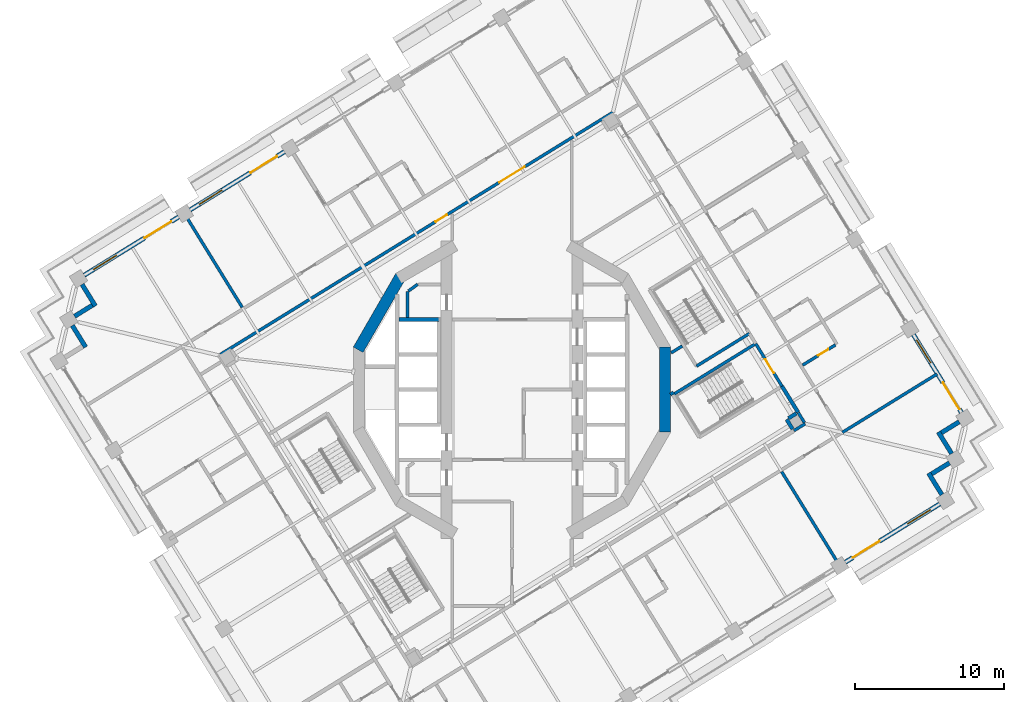
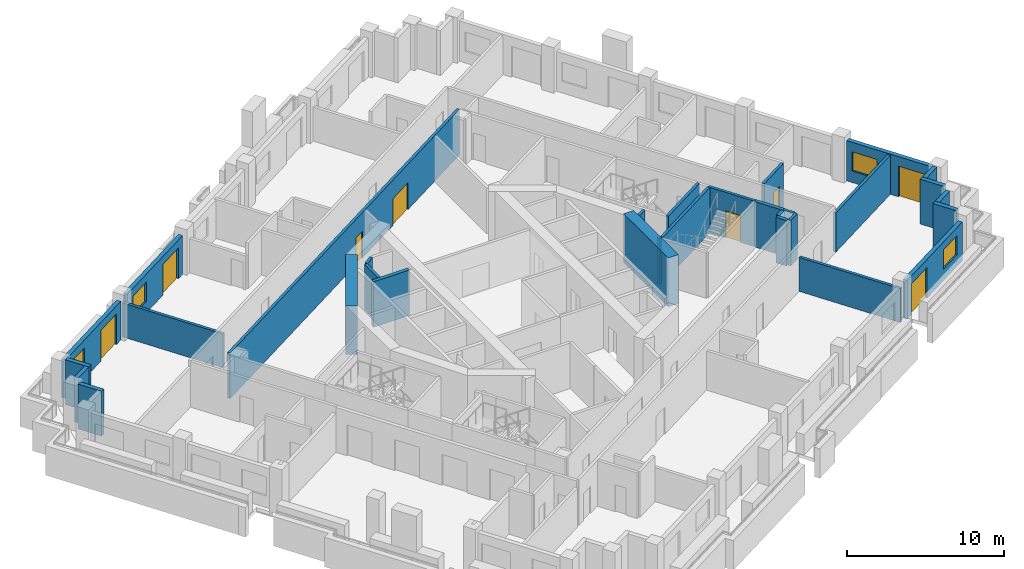
# One storey, part 7 of 20: 31 walls, 8 doors, 4 windows, 12 openings.
"""IFC4 building model written with IfcOpenShell, lengths in metres."""

from ifc_helpers import new_model, si_unit, direction, frame, frame_2d, origin, place, context, subcontext, project, spatial, rectangle, extrude, material, layer, layer_set, type_object, element, fill, save


model = new_model("IFC4")

# Units and contexts
model_context = context("Model", 3, precision=1e-05, world=origin(), true_north=direction((0.0, 1.0)))
body_context = subcontext(model_context, "Body", "Model", "MODEL_VIEW")
ifc_project = project(units=[si_unit("LENGTHUNIT", "METRE"), si_unit("AREAUNIT", "SQUARE_METRE"), si_unit("VOLUMEUNIT", "CUBIC_METRE"), si_unit("PLANEANGLEUNIT", "RADIAN"), si_unit("MASSUNIT", "GRAM", prefix="KILO")], contexts=[model_context])

# Site, building, storey
site_placement = place(None, origin())
site = spatial("IfcSite", under=ifc_project, at=site_placement, CompositionType="ELEMENT")
building_placement = place(site_placement, origin())
building = spatial("IfcBuilding", under=site, at=building_placement, Name="Cantera Rosa Tower", CompositionType="ELEMENT")
storey_placement = place(building_placement, frame((0.0, 0.0, 159.0)))
storey = spatial("IfcBuildingStorey", under=building, at=storey_placement, Name="L34", CompositionType="ELEMENT", Elevation=159.0)

# Wall, openings, doors
ifc_material_1 = material(Name="Gypsum board partition")
ifc_layer_1 = layer(ifc_material_1, 0.199951171875)
ifc_layer_set_1 = layer_set([ifc_layer_1], Name="CORRIDOR WALL 200 H3550")
wall_type_1 = type_object("IfcWallType", Name="CORRIDOR WALL 200 H3550", PredefinedType="PARTITIONING", material=ifc_layer_set_1)
wall_1_placement = place(storey_placement, frame((6.76123046875, 18.563232421875, 0.0), z_axis=(0.0, 0.0, 1.0), x_axis=(-0.851115762051, -0.524978056292, 0.0)))
wall_1 = element("IfcWall", 1, at=wall_1_placement, inside=storey, type_object=wall_type_1, Name="CORRIDOR WALL L34-085", PredefinedType="PARTITIONING", context=body_context, shape_type="SweptSolid", body=[
    extrude(rectangle(XDim=30.879638671875, YDim=0.199951171875, at=frame_2d((15.43994140625, 0.0))), origin(), (0.0, 0.0, 1.0), 3.550048828125),
])
opening_1_placement = place(wall_1_placement, frame((13.066650390625, 0.0, 0.0)))
opening_1 = element("IfcOpeningElement", 2, at=opening_1_placement, cuts=wall_1, Name="Opening L34-007", PredefinedType="OPENING", context=body_context, shape_type="SweptSolid", body=[
    extrude(rectangle(XDim=0.89990234375, YDim=2.10009765625, at=frame_2d((0.449951171875, 1.050048828125))), frame((0.0, 0.10986328125, 0.0), z_axis=(0.0, -1.0, 0.0), x_axis=(1.0, 0.0, 0.0)), (0.0, 0.0, 1.0), 0.219970703125),
])
opening_2_placement = place(wall_1_placement, frame((6.944091796875, 0.0, 0.0)))
opening_2 = element("IfcOpeningElement", 3, at=opening_2_placement, cuts=wall_1, Name="Opening L34-011", PredefinedType="OPENING", context=body_context, shape_type="SweptSolid", body=[
    extrude(rectangle(XDim=2.0, YDim=2.10009765625, at=frame_2d((1.0, 1.050048828125))), frame((0.0, 0.10986328125, 0.0), z_axis=(0.0, -1.0, 0.0), x_axis=(1.0, 0.0, 0.0)), (0.0, 0.0, 1.0), 0.219970703125),
])
ifc_material_2 = material(Name="Steel S355J2 (EN 10025-2)", Category="steel")
door_type_1 = type_object("IfcDoorType", Name="LOBBY SCREEN DOOR 2000x2100", OperationType="NOTDEFINED", PredefinedType="DOOR", material=ifc_material_2)
door_1_placement = place(opening_2_placement, origin())
door_1 = element("IfcDoor", 4, at=door_1_placement, inside=storey, type_object=door_type_1, Name="DOOR L34-011", OperationType="NOTDEFINED", OverallHeight=2.10009765625, OverallWidth=2.0, PredefinedType="DOOR", context=body_context, shape_type="SweptSolid", body=[
    extrude(rectangle(XDim=2.0, YDim=2.10009765625, at=frame_2d((1.0, 1.050048828125))), frame((0.0, 0.02490234375, 0.0), z_axis=(0.0, -1.0, 0.0), x_axis=(1.0, 0.0, 0.0)), (0.0, 0.0, 1.0), 0.050048828125),
])
fill(opening_2, door_1)
ifc_material_3 = material(Name="Timber door leaf", Category="wood")
door_type_2 = type_object("IfcDoorType", Name="SERVICE DOOR 900x2100", OperationType="NOTDEFINED", PredefinedType="DOOR", material=ifc_material_3)
door_2_placement = place(opening_1_placement, origin())
door_2 = element("IfcDoor", 5, at=door_2_placement, inside=storey, type_object=door_type_2, Name="DOOR L34-007", OperationType="NOTDEFINED", OverallHeight=2.10009765625, OverallWidth=0.89990234375, PredefinedType="DOOR", context=body_context, shape_type="SweptSolid", body=[
    extrude(rectangle(XDim=0.89990234375, YDim=2.10009765625, at=frame_2d((0.449951171875, 1.050048828125))), frame((0.0, 0.02490234375, 0.0), z_axis=(0.0, -1.0, 0.0), x_axis=(1.0, 0.0, 0.0)), (0.0, 0.0, 1.0), 0.050048828125),
])
fill(opening_1, door_2)

# Walls
wall_2_placement = place(storey_placement, frame((18.874267578125, -2.7509765625, 0.0), z_axis=(0.0, 0.0, 1.0), x_axis=(0.851162606387, 0.524902102766, 0.0)))
element("IfcWall", 6, at=wall_2_placement, inside=storey, type_object=wall_type_1, Name="CORRIDOR WALL L34-117", PredefinedType="PARTITIONING", context=body_context, shape_type="SweptSolid", body=[
    extrude(rectangle(XDim=0.8798828125, YDim=0.199951171875, at=frame_2d((0.43994140625, 0.0))), origin(), (0.0, 0.0, 1.0), 3.550048828125),
])
wall_3_placement = place(storey_placement, frame((19.57080078125, -2.203857421875, 0.0), z_axis=(0.0, 0.0, 1.0), x_axis=(-0.524952958213, 0.851131242326, 0.0)))
element("IfcWall", 7, at=wall_3_placement, inside=storey, type_object=wall_type_1, Name="CORRIDOR WALL L34-120", PredefinedType="PARTITIONING", context=body_context, shape_type="SweptSolid", body=[
    extrude(rectangle(XDim=0.780029296875, YDim=0.199951171875, at=frame_2d((0.39013671875, 0.0))), origin(), (0.0, 0.0, 1.0), 3.550048828125),
])
ifc_material_4 = material(Name="Hollow clay masonry with cantera stone cladding", Category="masonry")
ifc_layer_2 = layer(ifc_material_4, 0.300048828125)
ifc_layer_set_2 = layer_set([ifc_layer_2], Name="EW-LOGGIA 300")
wall_type_2 = type_object("IfcWallType", Name="EW-LOGGIA 300", PredefinedType="SOLIDWALL", material=ifc_layer_set_2)
wall_4_placement = place(storey_placement, frame((-28.7802734375, 7.0390625, 0.0), z_axis=(0.0, 0.0, 1.0), x_axis=(0.524994468487, -0.851105638601, 0.0)))
element("IfcWall", 8, at=wall_4_placement, inside=storey, type_object=wall_type_2, Name="EN-L34-W13a", PredefinedType="SOLIDWALL", context=body_context, shape_type="SweptSolid", body=[
    extrude(rectangle(XDim=1.7001953125, YDim=0.300048828125, at=frame_2d((0.85009765625, 0.0))), origin(), (0.0, 0.0, 1.0), 3.5),
])
wall_5_placement = place(storey_placement, frame((-28.09423828125, 5.64111328125, 0.0), z_axis=(0.0, 0.0, 1.0), x_axis=(-0.851040987269, -0.525099264891, 0.0)))
element("IfcWall", 9, at=wall_5_placement, inside=storey, type_object=wall_type_2, Name="EN-L34-W13b", PredefinedType="SOLIDWALL", context=body_context, shape_type="SweptSolid", body=[
    extrude(rectangle(XDim=1.39990234375, YDim=0.300048828125, at=frame_2d((0.699951171875, 0.0))), origin(), (0.0, 0.0, 1.0), 3.5),
])
for number, where, z_axis, x_axis, name in (
    (10, (-29.4326171875, 4.286865234375, 0.0), (0.0, 0.0, 1.0), (0.524994468487, -0.851105638601, 0.0), "EN-L34-W14a"),
    (11, (28.7802734375, -7.0390625, 0.0), (0.0, 0.0, 1.0), (-0.524994468487, 0.851105638601, 0.0), "EN-L34-W27a"),
):
    element("IfcWall", number, at=place(storey_placement, frame(where, z_axis=z_axis, x_axis=x_axis)), inside=storey, type_object=wall_type_2, Name=name, PredefinedType="SOLIDWALL", context=body_context, shape_type="SweptSolid", body=[
        extrude(rectangle(XDim=1.7001953125, YDim=0.300048828125, at=frame_2d((0.85009765625, 0.0))), origin(), (0.0, 0.0, 1.0), 3.5),
    ])
wall_6_placement = place(storey_placement, frame((28.09423828125, -5.64111328125, 0.0), z_axis=(0.0, 0.0, 1.0), x_axis=(0.851040987269, 0.525099264891, 0.0)))
element("IfcWall", 12, at=wall_6_placement, inside=storey, type_object=wall_type_2, Name="EN-L34-W27b", PredefinedType="SOLIDWALL", context=body_context, shape_type="SweptSolid", body=[
    extrude(rectangle(XDim=1.39990234375, YDim=0.300048828125, at=frame_2d((0.699951171875, 0.0))), origin(), (0.0, 0.0, 1.0), 3.5),
])
wall_7_placement = place(storey_placement, frame((29.4326171875, -4.286865234375, 0.0), z_axis=(0.0, 0.0, 1.0), x_axis=(-0.524994468487, 0.851105638601, 0.0)))
element("IfcWall", 13, at=wall_7_placement, inside=storey, type_object=wall_type_2, Name="EN-L34-W28a", PredefinedType="SOLIDWALL", context=body_context, shape_type="SweptSolid", body=[
    extrude(rectangle(XDim=1.7001953125, YDim=0.300048828125, at=frame_2d((0.85009765625, 0.0))), origin(), (0.0, 0.0, 1.0), 3.5),
])
wall_8_placement = place(storey_placement, frame((28.74658203125, -2.888916015625, 0.0), z_axis=(0.0, 0.0, 1.0), x_axis=(0.851040987269, 0.525099264891, 0.0)))
element("IfcWall", 14, at=wall_8_placement, inside=storey, type_object=wall_type_2, Name="EN-L34-W28b", PredefinedType="SOLIDWALL", context=body_context, shape_type="SweptSolid", body=[
    extrude(rectangle(XDim=1.39990234375, YDim=0.300048828125, at=frame_2d((0.699951171875, 0.0))), origin(), (0.0, 0.0, 1.0), 3.5),
])

# Wall, openings, window, door
ifc_material_5 = material(Name="Hollow clay masonry with cantera stone cladding", Category="masonry")
ifc_layer_3 = layer(ifc_material_5, 0.300048828125)
ifc_layer_set_3 = layer_set([ifc_layer_3], Name="EW-LOGGIA 300 H3020")
wall_type_3 = type_object("IfcWallType", Name="EW-LOGGIA 300 H3020", PredefinedType="SOLIDWALL", material=ifc_layer_set_3)
wall_9_placement = place(storey_placement, frame((-15.23681640625, 15.92138671875, 0.0), z_axis=(0.0, 0.0, 1.0), x_axis=(-0.85112578684, -0.524961803349, 0.0)))
wall_9 = element("IfcWall", 15, at=wall_9_placement, inside=storey, type_object=wall_type_3, Name="EN-L34-W11", PredefinedType="SOLIDWALL", context=body_context, shape_type="SweptSolid", body=[
    extrude(rectangle(XDim=7.420166015625, YDim=0.300048828125, at=frame_2d((3.7099609375, 0.0))), origin(), (0.0, 0.0, 1.0), 3.02001953125),
])
opening_3_placement = place(wall_9_placement, frame((0.580078125, 0.0, 0.0)))
opening_3 = element("IfcOpeningElement", 16, at=opening_3_placement, cuts=wall_9, Name="Opening L34-TD17", PredefinedType="OPENING", context=body_context, shape_type="SweptSolid", body=[
    extrude(rectangle(XDim=2.10009765625, YDim=2.39990234375, at=frame_2d((1.050048828125, 1.199951171875))), frame((0.0, 0.159912109375, 0.0), z_axis=(0.0, -1.0, 0.0), x_axis=(1.0, 0.0, 0.0)), (0.0, 0.0, 1.0), 0.320068359375),
])
opening_4_placement = place(wall_9_placement, frame((4.889892578125, 0.0, 0.89990234375)))
opening_4 = element("IfcOpeningElement", 17, at=opening_4_placement, cuts=wall_9, Name="Opening L34-W18", PredefinedType="OPENING", context=body_context, shape_type="SweptSolid", body=[
    extrude(rectangle(XDim=1.800048828125, YDim=1.5, at=frame_2d((0.89990234375, 0.75))), frame((0.0, 0.159912109375, 0.0), z_axis=(0.0, -1.0, 0.0), x_axis=(1.0, 0.0, 0.0)), (0.0, 0.0, 1.0), 0.320068359375),
])
ifc_material_6 = material(Name="Aluminium frame with clear glass", Category="aluminium")
window_type = type_object("IfcWindowType", Name="Hotel room window 1800x1500", PartitioningType="DOUBLE_PANEL_VERTICAL", PredefinedType="WINDOW", material=ifc_material_6)
window_1_placement = place(opening_4_placement, origin())
window_1 = element("IfcWindow", 18, at=window_1_placement, inside=storey, type_object=window_type, Name="WINDOW L34-W18", OverallHeight=1.5, OverallWidth=1.800048828125, PartitioningType="SINGLE_PANEL", PredefinedType="WINDOW", context=body_context, shape_type="SweptSolid", body=[
    extrude(rectangle(XDim=1.800048828125, YDim=1.5, at=frame_2d((0.89990234375, 0.75))), frame((0.0, 0.030029296875, 0.0), z_axis=(0.0, -1.0, 0.0), x_axis=(1.0, 0.0, 0.0)), (0.0, 0.0, 1.0), 0.06005859375),
])
fill(opening_4, window_1)
ifc_material_7 = material(Name="Aluminium frame with clear glass", Category="aluminium")
door_type_3 = type_object("IfcDoorType", Name="TD-H 2100x2400", OperationType="NOTDEFINED", PredefinedType="DOOR", material=ifc_material_7)
door_3_placement = place(opening_3_placement, origin())
door_3 = element("IfcDoor", 19, at=door_3_placement, inside=storey, type_object=door_type_3, Name="LOGGIA DOOR L34-TD17", OperationType="SLIDING_TO_LEFT", OverallHeight=2.39990234375, OverallWidth=2.10009765625, PredefinedType="DOOR", context=body_context, shape_type="SweptSolid", body=[
    extrude(rectangle(XDim=2.10009765625, YDim=2.39990234375, at=frame_2d((1.050048828125, 1.199951171875))), frame((0.0, 0.02490234375, 0.0), z_axis=(0.0, -1.0, 0.0), x_axis=(1.0, 0.0, 0.0)), (0.0, 0.0, 1.0), 0.050048828125),
])
fill(opening_3, door_3)

wall_10_placement = place(storey_placement, frame((-22.318115234375, 11.5537109375, 0.0), z_axis=(0.0, 0.0, 1.0), x_axis=(-0.851111085575, -0.524985637909, 0.0)))
wall_10 = element("IfcWall", 20, at=wall_10_placement, inside=storey, type_object=wall_type_3, Name="EN-L34-W12", PredefinedType="SOLIDWALL", context=body_context, shape_type="SweptSolid", body=[
    extrude(rectangle(XDim=7.420166015625, YDim=0.300048828125, at=frame_2d((3.7099609375, 0.0))), origin(), (0.0, 0.0, 1.0), 3.02001953125),
])
opening_5_placement = place(wall_10_placement, frame((0.580078125, 0.0, 0.0)))
opening_5 = element("IfcOpeningElement", 21, at=opening_5_placement, cuts=wall_10, Name="Opening L34-TD19", PredefinedType="OPENING", context=body_context, shape_type="SweptSolid", body=[
    extrude(rectangle(XDim=2.10009765625, YDim=2.39990234375, at=frame_2d((1.050048828125, 1.199951171875))), frame((0.0, 0.159912109375, 0.0), z_axis=(0.0, -1.0, 0.0), x_axis=(1.0, 0.0, 0.0)), (0.0, 0.0, 1.0), 0.320068359375),
])
opening_6_placement = place(wall_10_placement, frame((4.889892578125, 0.0, 0.89990234375)))
opening_6 = element("IfcOpeningElement", 22, at=opening_6_placement, cuts=wall_10, Name="Opening L34-W20", PredefinedType="OPENING", context=body_context, shape_type="SweptSolid", body=[
    extrude(rectangle(XDim=1.800048828125, YDim=1.5, at=frame_2d((0.89990234375, 0.75))), frame((0.0, 0.159912109375, 0.0), z_axis=(0.0, -1.0, 0.0), x_axis=(1.0, 0.0, 0.0)), (0.0, 0.0, 1.0), 0.320068359375),
])
window_2_placement = place(opening_6_placement, origin())
window_2 = element("IfcWindow", 23, at=window_2_placement, inside=storey, type_object=window_type, Name="WINDOW L34-W20", OverallHeight=1.5, OverallWidth=1.800048828125, PartitioningType="SINGLE_PANEL", PredefinedType="WINDOW", context=body_context, shape_type="SweptSolid", body=[
    extrude(rectangle(XDim=1.800048828125, YDim=1.5, at=frame_2d((0.89990234375, 0.75))), frame((0.0, 0.030029296875, 0.0), z_axis=(0.0, -1.0, 0.0), x_axis=(1.0, 0.0, 0.0)), (0.0, 0.0, 1.0), 0.06005859375),
])
fill(opening_6, window_2)
door_4_placement = place(opening_5_placement, origin())
door_4 = element("IfcDoor", 24, at=door_4_placement, inside=storey, type_object=door_type_3, Name="LOGGIA DOOR L34-TD19", OperationType="SLIDING_TO_LEFT", OverallHeight=2.39990234375, OverallWidth=2.10009765625, PredefinedType="DOOR", context=body_context, shape_type="SweptSolid", body=[
    extrude(rectangle(XDim=2.10009765625, YDim=2.39990234375, at=frame_2d((1.050048828125, 1.199951171875))), frame((0.0, 0.02490234375, 0.0), z_axis=(0.0, -1.0, 0.0), x_axis=(1.0, 0.0, 0.0)), (0.0, 0.0, 1.0), 0.050048828125),
])
fill(opening_5, door_4)

wall_11_placement = place(storey_placement, frame((22.318115234375, -11.5537109375, 0.0), z_axis=(0.0, 0.0, 1.0), x_axis=(0.851111085575, 0.524985637909, 0.0)))
wall_11 = element("IfcWall", 25, at=wall_11_placement, inside=storey, type_object=wall_type_3, Name="EN-L34-W26", PredefinedType="SOLIDWALL", context=body_context, shape_type="SweptSolid", body=[
    extrude(rectangle(XDim=7.420166015625, YDim=0.300048828125, at=frame_2d((3.7099609375, 0.0))), origin(), (0.0, 0.0, 1.0), 3.02001953125),
])
opening_7_placement = place(wall_11_placement, frame((0.580078125, 0.0, 0.0)))
opening_7 = element("IfcOpeningElement", 26, at=opening_7_placement, cuts=wall_11, Name="Opening L34-TD35", PredefinedType="OPENING", context=body_context, shape_type="SweptSolid", body=[
    extrude(rectangle(XDim=2.10009765625, YDim=2.39990234375, at=frame_2d((1.050048828125, 1.199951171875))), frame((0.0, 0.159912109375, 0.0), z_axis=(0.0, -1.0, 0.0), x_axis=(1.0, 0.0, 0.0)), (0.0, 0.0, 1.0), 0.320068359375),
])
opening_8_placement = place(wall_11_placement, frame((4.889892578125, 0.0, 0.89990234375)))
opening_8 = element("IfcOpeningElement", 27, at=opening_8_placement, cuts=wall_11, Name="Opening L34-W36", PredefinedType="OPENING", context=body_context, shape_type="SweptSolid", body=[
    extrude(rectangle(XDim=1.800048828125, YDim=1.5, at=frame_2d((0.89990234375, 0.75))), frame((0.0, 0.159912109375, 0.0), z_axis=(0.0, -1.0, 0.0), x_axis=(1.0, 0.0, 0.0)), (0.0, 0.0, 1.0), 0.320068359375),
])
window_3_placement = place(opening_8_placement, origin())
window_3 = element("IfcWindow", 28, at=window_3_placement, inside=storey, type_object=window_type, Name="WINDOW L34-W36", OverallHeight=1.5, OverallWidth=1.800048828125, PartitioningType="SINGLE_PANEL", PredefinedType="WINDOW", context=body_context, shape_type="SweptSolid", body=[
    extrude(rectangle(XDim=1.800048828125, YDim=1.5, at=frame_2d((0.89990234375, 0.75))), frame((0.0, 0.030029296875, 0.0), z_axis=(0.0, -1.0, 0.0), x_axis=(1.0, 0.0, 0.0)), (0.0, 0.0, 1.0), 0.06005859375),
])
fill(opening_8, window_3)
door_5_placement = place(opening_7_placement, origin())
door_5 = element("IfcDoor", 29, at=door_5_placement, inside=storey, type_object=door_type_3, Name="LOGGIA DOOR L34-TD35", OperationType="SLIDING_TO_LEFT", OverallHeight=2.39990234375, OverallWidth=2.10009765625, PredefinedType="DOOR", context=body_context, shape_type="SweptSolid", body=[
    extrude(rectangle(XDim=2.10009765625, YDim=2.39990234375, at=frame_2d((1.050048828125, 1.199951171875))), frame((0.0, 0.02490234375, 0.0), z_axis=(0.0, -1.0, 0.0), x_axis=(1.0, 0.0, 0.0)), (0.0, 0.0, 1.0), 0.050048828125),
])
fill(opening_7, door_5)

ifc_material_8 = material(Name="Hollow clay masonry with cantera stone cladding", Category="masonry")
ifc_layer_4 = layer(ifc_material_8, 0.300048828125)
ifc_layer_set_4 = layer_set([ifc_layer_4], Name="EW-LOGGIA 300 H3140")
wall_type_4 = type_object("IfcWallType", Name="EW-LOGGIA 300 H3140", PredefinedType="SOLIDWALL", material=ifc_layer_set_4)
wall_12_placement = place(storey_placement, frame((30.084716796875, -1.53466796875, 0.0), z_axis=(0.0, 0.0, 1.0), x_axis=(-0.524987447654, 0.851109969279, 0.0)))
wall_12 = element("IfcWall", 30, at=wall_12_placement, inside=storey, type_object=wall_type_4, Name="EN-L34-W01", PredefinedType="SOLIDWALL", context=body_context, shape_type="SweptSolid", body=[
    extrude(rectangle(XDim=6.119873046875, YDim=0.300048828125, at=frame_2d((3.06005859375, 0.0))), origin(), (0.0, 0.0, 1.0), 3.139892578125),
])
opening_9_placement = place(wall_12_placement, frame((0.2548828125, 0.0, 0.0)))
opening_9 = element("IfcOpeningElement", 31, at=opening_9_placement, cuts=wall_12, Name="Opening L34-TD01", PredefinedType="OPENING", context=body_context, shape_type="SweptSolid", body=[
    extrude(rectangle(XDim=2.10009765625, YDim=2.39990234375, at=frame_2d((1.050048828125, 1.199951171875))), frame((0.0, 0.159912109375, 0.0), z_axis=(0.0, -1.0, 0.0), x_axis=(1.0, 0.0, 0.0)), (0.0, 0.0, 1.0), 0.320068359375),
])
opening_10_placement = place(wall_12_placement, frame((3.9150390625, 0.0, 0.89990234375)))
opening_10 = element("IfcOpeningElement", 32, at=opening_10_placement, cuts=wall_12, Name="Opening L34-W02", PredefinedType="OPENING", context=body_context, shape_type="SweptSolid", body=[
    extrude(rectangle(XDim=1.800048828125, YDim=1.5, at=frame_2d((0.89990234375, 0.75))), frame((0.0, 0.159912109375, 0.0), z_axis=(0.0, -1.0, 0.0), x_axis=(1.0, 0.0, 0.0)), (0.0, 0.0, 1.0), 0.320068359375),
])
window_4_placement = place(opening_10_placement, origin())
window_4 = element("IfcWindow", 33, at=window_4_placement, inside=storey, type_object=window_type, Name="WINDOW L34-W02", OverallHeight=1.5, OverallWidth=1.800048828125, PartitioningType="SINGLE_PANEL", PredefinedType="WINDOW", context=body_context, shape_type="SweptSolid", body=[
    extrude(rectangle(XDim=1.800048828125, YDim=1.5, at=frame_2d((0.89990234375, 0.75))), frame((0.0, 0.030029296875, 0.0), z_axis=(0.0, -1.0, 0.0), x_axis=(1.0, 0.0, 0.0)), (0.0, 0.0, 1.0), 0.06005859375),
])
fill(opening_10, window_4)
door_6_placement = place(opening_9_placement, origin())
door_6 = element("IfcDoor", 34, at=door_6_placement, inside=storey, type_object=door_type_3, Name="LOGGIA DOOR L34-TD01", OperationType="SLIDING_TO_LEFT", OverallHeight=2.39990234375, OverallWidth=2.10009765625, PredefinedType="DOOR", context=body_context, shape_type="SweptSolid", body=[
    extrude(rectangle(XDim=2.10009765625, YDim=2.39990234375, at=frame_2d((1.050048828125, 1.199951171875))), frame((0.0, 0.02490234375, 0.0), z_axis=(0.0, -1.0, 0.0), x_axis=(1.0, 0.0, 0.0)), (0.0, 0.0, 1.0), 0.050048828125),
])
fill(opening_9, door_6)

# Walls
ifc_material_9 = material(Name="Gypsum board partition")
ifc_layer_5 = layer(ifc_material_9, 0.199951171875)
ifc_layer_set_5 = layer_set([ifc_layer_5], Name="PARTITION 200 H3550")
wall_type_5 = type_object("IfcWallType", Name="PARTITION 200 H3550", PredefinedType="PARTITIONING", material=ifc_layer_set_5)
wall_13_placement = place(storey_placement, frame((-7.0, 4.824951171875, 0.0), z_axis=(0.0, 0.0, 1.0), x_axis=(0.0, 1.0, 0.0)))
element("IfcWall", 35, at=wall_13_placement, inside=storey, type_object=wall_type_5, Name="PARTITION L34-043", PredefinedType="PARTITIONING", context=body_context, shape_type="SweptSolid", body=[
    extrude(rectangle(XDim=1.72509765625, YDim=0.199951171875, at=frame_2d((0.862548828125, 0.0))), origin(), (0.0, 0.0, 1.0), 3.550048828125),
])
wall_14_placement = place(storey_placement, frame((-6.935302734375, 6.59716796875, 0.0), z_axis=(0.0, 0.0, 1.0), x_axis=(0.808227862651, 0.588869868506, 0.0)))
element("IfcWall", 36, at=wall_14_placement, inside=storey, type_object=wall_type_5, Name="PARTITION L34-044", PredefinedType="PARTITIONING", context=body_context, shape_type="SweptSolid", body=[
    extrude(rectangle(XDim=0.76904296875, YDim=0.199951171875, at=frame_2d((0.384521484375, 0.0))), origin(), (0.0, 0.0, 1.0), 3.550048828125),
])
wall_15_placement = place(storey_placement, frame((11.3984375, 2.91845703125, 0.0), z_axis=(0.0, 0.0, 1.0), x_axis=(-0.851062595384, -0.525064242487, 0.0)))
element("IfcWall", 37, at=wall_15_placement, inside=storey, type_object=wall_type_5, Name="PARTITION L34-101", PredefinedType="PARTITIONING", context=body_context, shape_type="SweptSolid", body=[
    extrude(rectangle(XDim=0.873291015625, YDim=0.199951171875, at=frame_2d((0.4365234375, 0.0))), origin(), (0.0, 0.0, 1.0), 3.550048828125),
])

# Wall, opening, door
wall_16_placement = place(storey_placement, frame((21.652587890625, 2.99267578125, 0.0), z_axis=(0.0, 0.0, 1.0), x_axis=(-0.851098989685, -0.525005247362, 0.0)))
wall_16 = element("IfcWall", 38, at=wall_16_placement, inside=storey, type_object=wall_type_5, Name="PARTITION L34-122", PredefinedType="PARTITIONING", context=body_context, shape_type="SweptSolid", body=[
    extrude(rectangle(XDim=2.580078125, YDim=0.199951171875, at=frame_2d((1.2900390625, 0.0))), origin(), (0.0, 0.0, 1.0), 3.550048828125),
])
opening_11_placement = place(wall_16_placement, frame((0.56396484375, 0.0, 0.0)))
opening_11 = element("IfcOpeningElement", 39, at=opening_11_placement, cuts=wall_16, Name="Opening L34-022", PredefinedType="OPENING", context=body_context, shape_type="SweptSolid", body=[
    extrude(rectangle(XDim=0.800048828125, YDim=2.10009765625, at=frame_2d((0.39990234375, 1.050048828125))), frame((0.0, 0.10986328125, 0.0), z_axis=(0.0, -1.0, 0.0), x_axis=(1.0, 0.0, 0.0)), (0.0, 0.0, 1.0), 0.219970703125),
])
ifc_material_10 = material(Name="Timber door leaf", Category="wood")
door_type_4 = type_object("IfcDoorType", Name="BATHROOM DOOR 800x2100", OperationType="NOTDEFINED", PredefinedType="DOOR", material=ifc_material_10)
door_7_placement = place(opening_11_placement, origin())
door_7 = element("IfcDoor", 40, at=door_7_placement, inside=storey, type_object=door_type_4, Name="DOOR L34-022", OperationType="NOTDEFINED", OverallHeight=2.10009765625, OverallWidth=0.800048828125, PredefinedType="DOOR", context=body_context, shape_type="SweptSolid", body=[
    extrude(rectangle(XDim=0.800048828125, YDim=2.10009765625, at=frame_2d((0.39990234375, 1.050048828125))), frame((0.0, 0.02490234375, 0.0), z_axis=(0.0, -1.0, 0.0), x_axis=(1.0, 0.0, 0.0)), (0.0, 0.0, 1.0), 0.050048828125),
])
fill(opening_11, door_7)

# Walls
ifc_material_11 = material(Name="Gypsum board partition")
ifc_layer_6 = layer(ifc_material_11, 0.199951171875)
ifc_layer_set_6 = layer_set([ifc_layer_6], Name="PARTY WALL 200 H2650")
wall_type_6 = type_object("IfcWallType", Name="PARTY WALL 200 H2650", PredefinedType="PARTITIONING", material=ifc_layer_set_6)
wall_17_placement = place(storey_placement, frame((-18.060791015625, 5.508544921875, 0.0), z_axis=(0.0, 0.0, 1.0), x_axis=(-0.524973728225, 0.851118431638, 0.0)))
element("IfcWall", 41, at=wall_17_placement, inside=storey, type_object=wall_type_6, Name="PARTY WALL L34-011", PredefinedType="PARTITIONING", context=body_context, shape_type="SweptSolid", body=[
    extrude(rectangle(XDim=7.35009765625, YDim=0.199951171875, at=frame_2d((3.675048828125, 0.0))), origin(), (0.0, 0.0, 1.0), 2.64990234375),
])
wall_18_placement = place(storey_placement, frame((18.05029296875, -5.49169921875, 0.0), z_axis=(0.0, 0.0, 1.0), x_axis=(0.52498429839, -0.851111911821, 0.0)))
element("IfcWall", 42, at=wall_18_placement, inside=storey, type_object=wall_type_6, Name="PARTY WALL L34-113", PredefinedType="PARTITIONING", context=body_context, shape_type="SweptSolid", body=[
    extrude(rectangle(XDim=7.3701171875, YDim=0.199951171875, at=frame_2d((3.68505859375, 0.0))), origin(), (0.0, 0.0, 1.0), 2.64990234375),
])
ifc_material_12 = material(Name="Gypsum board partition")
ifc_layer_7 = layer(ifc_material_12, 0.199951171875)
ifc_layer_set_7 = layer_set([ifc_layer_7], Name="PARTY WALL 200 H3050")
wall_type_7 = type_object("IfcWallType", Name="PARTY WALL 200 H3050", PredefinedType="PARTITIONING", material=ifc_layer_set_7)
wall_19_placement = place(storey_placement, frame((28.4580078125, 1.04541015625, 0.0), z_axis=(0.0, 0.0, 1.0), x_axis=(-0.851127919676, -0.524958345345, 0.0)))
element("IfcWall", 43, at=wall_19_placement, inside=storey, type_object=wall_type_7, Name="PARTY WALL L34-124", PredefinedType="PARTITIONING", context=body_context, shape_type="SweptSolid", body=[
    extrude(rectangle(XDim=7.449951171875, YDim=0.199951171875, at=frame_2d((3.72509765625, 0.0))), origin(), (0.0, 0.0, 1.0), 3.050048828125),
])
ifc_material_13 = material(Name="Concrete C60/75", Category="concrete")
ifc_layer_8 = layer(ifc_material_13, 0.75)
ifc_layer_set_8 = layer_set([ifc_layer_8], Name="RC CORE WALL 750 C60/75")
wall_type_8 = type_object("IfcWallType", Name="RC CORE WALL 750 C60/75", PredefinedType="SHEAR", material=ifc_layer_set_8)
wall_20_placement = place(storey_placement, frame((-10.300537109375, 2.659423828125, 0.0), z_axis=(0.0, 0.0, 1.0), x_axis=(0.500021842983, 0.866012792365, 0.0)))
element("IfcWall", 44, at=wall_20_placement, inside=storey, type_object=wall_type_8, Name="CW-W4 L34", PredefinedType="SHEAR", context=body_context, shape_type="SweptSolid", body=[
    extrude(rectangle(XDim=5.694091796875, YDim=0.75, at=frame_2d((2.84716796875, 0.0))), origin(), (0.0, 0.0, 1.0), 3.800048828125),
])
wall_21_placement = place(storey_placement, frame((10.250244140625, 2.846923828125, 0.0), z_axis=(0.0, 0.0, 1.0), x_axis=(0.0, -1.0, 0.0)))
element("IfcWall", 45, at=wall_21_placement, inside=storey, type_object=wall_type_8, Name="CW-E3 L34", PredefinedType="SHEAR", context=body_context, shape_type="SweptSolid", body=[
    extrude(rectangle(XDim=5.69384765625, YDim=0.75, at=frame_2d((2.846923828125, 0.0))), origin(), (0.0, 0.0, 1.0), 3.800048828125),
])
ifc_material_14 = material(Name="Masonry blockwork", Category="masonry")
ifc_layer_9 = layer(ifc_material_14, 0.25)
ifc_layer_set_9 = layer_set([ifc_layer_9], Name="SHAFT WALL 250 H3550")
wall_type_9 = type_object("IfcWallType", Name="SHAFT WALL 250 H3550", PredefinedType="SOLIDWALL", material=ifc_layer_set_9)
wall_22_placement = place(storey_placement, frame((-7.574951171875, 4.699951171875, 0.0), z_axis=(0.0, 0.0, 1.0), x_axis=(1.0, 0.0, 0.0)))
element("IfcWall", 46, at=wall_22_placement, inside=storey, type_object=wall_type_9, Name="SHAFT WALL L34-036", PredefinedType="SOLIDWALL", context=body_context, shape_type="SweptSolid", body=[
    extrude(rectangle(XDim=2.675048828125, YDim=0.25, at=frame_2d((1.33740234375, 0.0))), origin(), (0.0, 0.0, 1.0), 3.550048828125),
])
wall_23_placement = place(storey_placement, frame((10.6552734375, -0.16748046875, 0.0), z_axis=(0.0, 0.0, 1.0), x_axis=(0.524543682015, -0.851383536168, 0.0)))
element("IfcWall", 47, at=wall_23_placement, inside=storey, type_object=wall_type_9, Name="SHAFT WALL L34-098", PredefinedType="SOLIDWALL", context=body_context, shape_type="SweptSolid", body=[
    extrude(rectangle(XDim=0.213623046875, YDim=0.25, at=frame_2d((0.10693359375, 0.0))), origin(), (0.0, 0.0, 1.0), 3.550048828125),
])
wall_24_placement = place(storey_placement, frame((18.384765625, -1.99560546875, 0.0), z_axis=(0.0, 0.0, 1.0), x_axis=(0.52499344753, -0.851106268365, 0.0)))
element("IfcWall", 48, at=wall_24_placement, inside=storey, type_object=wall_type_9, Name="SHAFT WALL L34-115", PredefinedType="SOLIDWALL", context=body_context, shape_type="SweptSolid", body=[
    extrude(rectangle(XDim=0.759765625, YDim=0.25, at=frame_2d((0.3798828125, 0.0))), origin(), (0.0, 0.0, 1.0), 3.550048828125),
])
wall_25_placement = place(storey_placement, frame((19.15087890625, -1.52294921875, 0.0), z_axis=(0.0, 0.0, 1.0), x_axis=(-0.525087139425, 0.851048468661, 0.0)))
element("IfcWall", 49, at=wall_25_placement, inside=storey, type_object=wall_type_9, Name="SHAFT WALL L34-118", PredefinedType="SOLIDWALL", context=body_context, shape_type="SweptSolid", body=[
    extrude(rectangle(XDim=2.050048828125, YDim=0.25, at=frame_2d((1.02490234375, 0.0))), origin(), (0.0, 0.0, 1.0), 3.550048828125),
])
wall_26_placement = place(storey_placement, frame((19.031494140625, -1.596435546875, 0.0), z_axis=(0.0, 0.0, 1.0), x_axis=(-0.85092741859, -0.52528328385, 0.0)))
element("IfcWall", 50, at=wall_26_placement, inside=storey, type_object=wall_type_9, Name="SHAFT WALL L34-119", PredefinedType="SOLIDWALL", context=body_context, shape_type="SweptSolid", body=[
    extrude(rectangle(XDim=0.6201171875, YDim=0.25, at=frame_2d((0.31005859375, 0.0))), origin(), (0.0, 0.0, 1.0), 3.550048828125),
])
ifc_material_15 = material(Name="Concrete C50/60", Category="concrete")
ifc_layer_10 = layer(ifc_material_15, 0.199951171875)
ifc_layer_set_10 = layer_set([ifc_layer_10], Name="STAIR WALL 200 H3550")
wall_type_10 = type_object("IfcWallType", Name="STAIR WALL 200 H3550", PredefinedType="SOLIDWALL", material=ifc_layer_set_10)
wall_27_placement = place(storey_placement, frame((10.767333984375, -0.349365234375, 0.0), z_axis=(0.0, 0.0, 1.0), x_axis=(0.851120392665, 0.524970548879, 0.0)))
element("IfcWall", 51, at=wall_27_placement, inside=storey, type_object=wall_type_10, Name="STAIR WALL L34-100", PredefinedType="SOLIDWALL", context=body_context, shape_type="SweptSolid", body=[
    extrude(rectangle(XDim=6.51904296875, YDim=0.199951171875, at=frame_2d((3.259521484375, 0.0))), origin(), (0.0, 0.0, 1.0), 3.550048828125),
])
wall_28_placement = place(storey_placement, frame((15.8955078125, 3.754638671875, 0.0), z_axis=(0.0, 0.0, 1.0), x_axis=(-0.851120688733, -0.524970068871, 0.0)))
element("IfcWall", 52, at=wall_28_placement, inside=storey, type_object=wall_type_10, Name="STAIR WALL L34-108", PredefinedType="SOLIDWALL", context=body_context, shape_type="SweptSolid", body=[
    extrude(rectangle(XDim=4.16650390625, YDim=0.199951171875, at=frame_2d((2.083251953125, 0.0))), origin(), (0.0, 0.0, 1.0), 3.550048828125),
])

# Wall, opening, door
wall_29_placement = place(storey_placement, frame((18.074462890625, 0.2216796875, 0.0), z_axis=(0.0, 0.0, 1.0), x_axis=(-0.524938861495, 0.85113993661, 0.0)))
wall_29 = element("IfcWall", 53, at=wall_29_placement, inside=storey, type_object=wall_type_10, Name="STAIR WALL L34-114", PredefinedType="SOLIDWALL", context=body_context, shape_type="SweptSolid", body=[
    extrude(rectangle(XDim=3.35009765625, YDim=0.199951171875, at=frame_2d((1.675048828125, 0.0))), origin(), (0.0, 0.0, 1.0), 3.550048828125),
])
opening_12_placement = place(wall_29_placement, frame((1.02978515625, 0.0, 0.0)))
opening_12 = element("IfcOpeningElement", 54, at=opening_12_placement, cuts=wall_29, Name="Opening L34-004", PredefinedType="OPENING", context=body_context, shape_type="SweptSolid", body=[
    extrude(rectangle(XDim=1.10009765625, YDim=2.10009765625, at=frame_2d((0.550048828125, 1.050048828125))), frame((0.0, 0.10986328125, 0.0), z_axis=(0.0, -1.0, 0.0), x_axis=(1.0, 0.0, 0.0)), (0.0, 0.0, 1.0), 0.219970703125),
])
ifc_material_16 = material(Name="Steel S355J2 (EN 10025-2)", Category="steel")
door_type_5 = type_object("IfcDoorType", Name="STAIR DOOR 1100x2100", OperationType="NOTDEFINED", PredefinedType="DOOR", material=ifc_material_16)
door_8_placement = place(opening_12_placement, origin())
door_8 = element("IfcDoor", 55, at=door_8_placement, inside=storey, type_object=door_type_5, Name="DOOR L34-004", OperationType="NOTDEFINED", OverallHeight=2.10009765625, OverallWidth=1.10009765625, PredefinedType="DOOR", context=body_context, shape_type="SweptSolid", body=[
    extrude(rectangle(XDim=1.10009765625, YDim=2.10009765625, at=frame_2d((0.550048828125, 1.050048828125))), frame((0.0, 0.02490234375, 0.0), z_axis=(0.0, -1.0, 0.0), x_axis=(1.0, 0.0, 0.0)), (0.0, 0.0, 1.0), 0.050048828125),
])
fill(opening_12, door_8)

save(model, "model.ifc")
